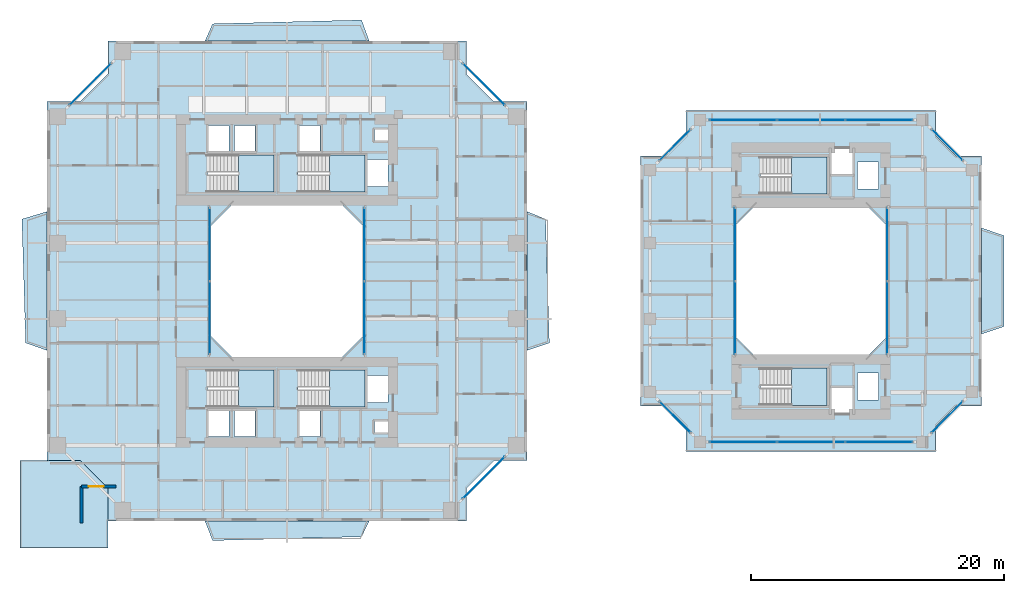
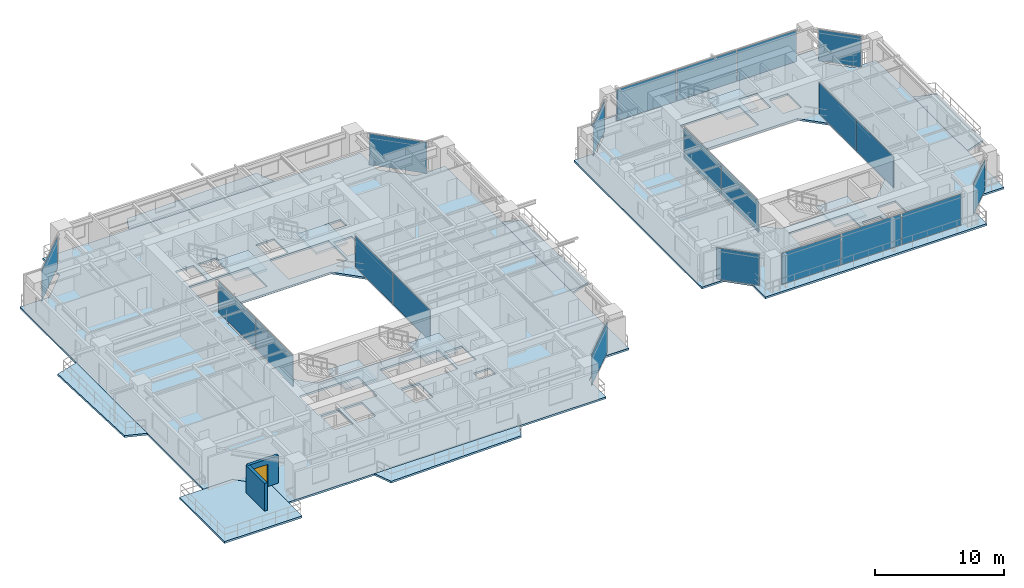
# One storey, part 10 of 22: 21 plates, 14 slabs, 2 walls, 1 door, 1 opening, 19 elements without a shape of their own.
"""IFC4 building model written with IfcOpenShell, lengths in metres."""

from ifc_helpers import new_model, si_unit, direction, frame, frame_2d, origin, origin_2d, place, context, subcontext, project, spatial, polyline, rectangle, outline, extrude, source, transform, mapped, material, layer, layer_set, type_object, element, fill, aggregate, save


model = new_model("IFC4")

# Units and contexts
model_context = context("Model", 3, precision=1e-05, world=origin(), true_north=direction((0.0, 1.0)))
body_context = subcontext(model_context, "Body", "Model", "MODEL_VIEW")
ifc_project = project(units=[si_unit("LENGTHUNIT", "METRE"), si_unit("AREAUNIT", "SQUARE_METRE"), si_unit("VOLUMEUNIT", "CUBIC_METRE"), si_unit("PLANEANGLEUNIT", "RADIAN"), si_unit("MASSUNIT", "GRAM", prefix="KILO"), si_unit("THERMODYNAMICTEMPERATUREUNIT", "KELVIN"), si_unit("POWERUNIT", "WATT")], contexts=[model_context])

# Site, building, storey
site_placement = place(None, origin())
site = spatial("IfcSite", under=ifc_project, at=site_placement, CompositionType="ELEMENT")
building_placement = place(site_placement, origin())
building = spatial("IfcBuilding", under=site, at=building_placement, Name="Qiaomeng Ring Towers", CompositionType="ELEMENT")
storey_placement = place(building_placement, frame((0.0, 0.0, 53.5)))
storey = spatial("IfcBuildingStorey", under=building, at=storey_placement, Name="L14", CompositionType="ELEMENT", Elevation=53.5)

# Slabs
ifc_material_1 = material(Name="Concrete C40", Category="concrete")
ifc_layer_1 = layer(ifc_material_1, 0.179931640625, Name="Concrete C40")
ifc_layer_set_1 = layer_set([ifc_layer_1], Name="Concrete C40")
slab_type_1 = type_object("IfcSlabType", Name="STR-SL-180", PredefinedType="FLOOR", material=ifc_layer_set_1)
slab_1_placement = place(storey_placement, frame((0.0, 0.0, -0.179931640625)))
element("IfcSlab", 1, at=slab_1_placement, inside=storey, type_object=slab_type_1, Name="L14 Tower 1 Annular Floor Slab", PredefinedType="FLOOR", context=body_context, shape_type="SweptSolid", body=[
    extrude(outline(polyline([(4.800048828125, 4.0), (33.199951171875, 4.0), (33.199951171875, 6.60009765625), (35.39990234375, 8.800048828125), (38.0, 8.800048828125), (38.0, 37.199951171875), (35.39990234375, 37.199951171875), (33.199951171875, 39.39990234375), (33.199951171875, 42.0), (4.800048828125, 42.0), (4.800048828125, 39.39990234375), (2.60009765625, 37.199951171875), (0.0, 37.199951171875), (0.0, 8.800048828125), (2.60009765625, 8.800048828125), (4.800048828125, 6.60009765625), (4.800048828125, 4.0)]), holes=[polyline([(12.780029296875, 10.679931640625), (12.780029296875, 12.820068359375), (14.419921875, 12.820068359375), (14.419921875, 10.679931640625), (12.780029296875, 10.679931640625)]), polyline([(14.830078125, 12.820068359375), (16.469970703125, 12.820068359375), (16.469970703125, 10.679931640625), (14.830078125, 10.679931640625), (14.830078125, 12.820068359375)]), polyline([(12.679931640625, 15.949951171875), (17.949951171875, 15.949951171875), (17.949951171875, 13.010009765625), (12.679931640625, 13.010009765625), (12.679931640625, 15.949951171875)]), polyline([(25.199951171875, 27.199951171875), (25.199951171875, 18.800048828125), (23.199951171875, 16.800048828125), (14.800048828125, 16.800048828125), (12.800048828125, 18.800048828125), (12.800048828125, 27.199951171875), (14.800048828125, 29.199951171875), (23.199951171875, 29.199951171875), (25.199951171875, 27.199951171875)]), polyline([(12.679931640625, 32.989990234375), (17.949951171875, 32.989990234375), (17.949951171875, 30.050048828125), (12.679931640625, 30.050048828125), (12.679931640625, 32.989990234375)]), polyline([(12.780029296875, 35.320068359375), (14.419921875, 35.320068359375), (14.419921875, 33.179931640625), (12.780029296875, 33.179931640625), (12.780029296875, 35.320068359375)]), polyline([(14.830078125, 35.320068359375), (16.469970703125, 35.320068359375), (16.469970703125, 33.179931640625), (14.830078125, 33.179931640625), (14.830078125, 35.320068359375)]), polyline([(19.97998046875, 35.320068359375), (21.6201171875, 35.320068359375), (21.6201171875, 33.179931640625), (19.97998046875, 33.179931640625), (19.97998046875, 35.320068359375)]), polyline([(25.919921875, 11.89990234375), (27.360107421875, 11.89990234375), (27.360107421875, 11.0), (25.919921875, 11.0), (25.919921875, 11.89990234375)]), polyline([(19.97998046875, 12.820068359375), (21.6201171875, 12.820068359375), (21.6201171875, 10.679931640625), (19.97998046875, 10.679931640625), (19.97998046875, 12.820068359375)]), polyline([(25.360107421875, 15.52001953125), (27.0, 15.52001953125), (27.0, 13.3798828125), (25.360107421875, 13.3798828125), (25.360107421875, 15.52001953125)]), polyline([(19.8798828125, 15.949951171875), (25.14990234375, 15.949951171875), (25.14990234375, 13.010009765625), (19.8798828125, 13.010009765625), (19.8798828125, 15.949951171875)]), polyline([(19.8798828125, 32.989990234375), (25.14990234375, 32.989990234375), (25.14990234375, 30.050048828125), (19.8798828125, 30.050048828125), (19.8798828125, 32.989990234375)]), polyline([(25.360107421875, 32.6201171875), (27.0, 32.6201171875), (27.0, 30.47998046875), (25.360107421875, 30.47998046875), (25.360107421875, 32.6201171875)]), polyline([(25.919921875, 35.0), (27.360107421875, 35.0), (27.360107421875, 34.10009765625), (25.919921875, 34.10009765625), (25.919921875, 35.0)])]), origin(), (0.0, 0.0, 1.0), 0.179931640625),
])
slab_2_placement = place(storey_placement, frame((0.0, 0.0, -0.179931640625)))
element("IfcSlab", 2, at=slab_2_placement, inside=storey, type_object=slab_type_1, Name="L14 Companion Tower 2 Annular Floor Slab", PredefinedType="FLOOR", context=body_context, shape_type="SweptSolid", body=[
    extrude(outline(polyline([(50.60009765625, 9.5), (70.39990234375, 9.5), (70.39990234375, 11.5), (72.0, 13.10009765625), (74.0, 13.10009765625), (74.0, 32.89990234375), (72.0, 32.89990234375), (70.39990234375, 34.5), (70.39990234375, 36.5), (50.60009765625, 36.5), (50.60009765625, 34.5), (49.0, 32.89990234375), (47.0, 32.89990234375), (47.0, 13.10009765625), (49.0, 13.10009765625), (50.60009765625, 11.5), (50.60009765625, 9.5)]), holes=[polyline([(62.1298828125, 12.3798828125), (62.1298828125, 14.52001953125), (63.77001953125, 14.52001953125), (63.77001953125, 12.3798828125), (62.1298828125, 12.3798828125)]), polyline([(56.47998046875, 13.159912109375), (56.47998046875, 16.10009765625), (61.75, 16.10009765625), (61.75, 13.159912109375), (56.47998046875, 13.159912109375)]), polyline([(64.179931640625, 13.580078125), (64.179931640625, 15.719970703125), (65.820068359375, 15.719970703125), (65.820068359375, 13.580078125), (64.179931640625, 13.580078125)]), polyline([(64.800048828125, 29.10009765625), (66.60009765625, 27.300048828125), (66.60009765625, 18.699951171875), (64.800048828125, 16.89990234375), (56.199951171875, 16.89990234375), (54.39990234375, 18.699951171875), (54.39990234375, 27.300048828125), (56.199951171875, 29.10009765625), (64.800048828125, 29.10009765625)]), polyline([(64.179931640625, 30.280029296875), (64.179931640625, 32.419921875), (65.820068359375, 32.419921875), (65.820068359375, 30.280029296875), (64.179931640625, 30.280029296875)]), polyline([(56.47998046875, 32.840087890625), (61.75, 32.840087890625), (61.75, 29.89990234375), (56.47998046875, 29.89990234375), (56.47998046875, 32.840087890625)]), polyline([(62.1298828125, 33.6201171875), (63.77001953125, 33.6201171875), (63.77001953125, 31.47998046875), (62.1298828125, 31.47998046875), (62.1298828125, 33.6201171875)])]), origin(), (0.0, 0.0, 1.0), 0.179931640625),
])
ifc_layer_2 = layer(ifc_material_1, 0.179931640625, Name="Concrete C40")
ifc_layer_set_2 = layer_set([ifc_layer_2], Name="Concrete C40")
slab_type_2 = type_object("IfcSlabType", Name="STR-SL-BAL", PredefinedType="FLOOR", material=ifc_layer_set_2)
slab_3_placement = place(storey_placement, frame((0.0, 0.0, -0.179931640625)))
element("IfcSlab", 3, at=slab_3_placement, inside=storey, type_object=slab_type_2, Name="L14 Tower 1 S Faceted Balcony Slab", PredefinedType="FLOOR", context=body_context, shape_type="SweptSolid", body=[
    extrude(outline(polyline([(24.89990234375, 2.75), (13.10009765625, 2.449951171875), (12.5, 4.0), (25.5, 4.0), (24.89990234375, 2.75)])), origin(), (0.0, 0.0, 1.0), 0.179931640625),
])
slab_4_placement = place(storey_placement, frame((0.0, 0.0, -0.179931640625)))
element("IfcSlab", 4, at=slab_4_placement, inside=storey, type_object=slab_type_2, Name="L14 Tower 1 E Faceted Balcony Slab", PredefinedType="FLOOR", context=body_context, shape_type="SweptSolid", body=[
    extrude(outline(polyline([(39.469970703125, 27.89990234375), (39.77001953125, 18.10009765625), (38.0, 17.5), (38.0, 28.5), (39.469970703125, 27.89990234375)])), origin(), (0.0, 0.0, 1.0), 0.179931640625),
])
slab_5_placement = place(storey_placement, frame((0.0, 0.0, -0.179931640625)))
element("IfcSlab", 5, at=slab_5_placement, inside=storey, type_object=slab_type_2, Name="L14 Tower 1 N Faceted Balcony Slab", PredefinedType="FLOOR", context=body_context, shape_type="SweptSolid", body=[
    extrude(outline(polyline([(12.5, 42.0), (13.10009765625, 43.3701171875), (24.89990234375, 43.669921875), (25.5, 42.0), (12.5, 42.0)])), origin(), (0.0, 0.0, 1.0), 0.179931640625),
])
slab_6_placement = place(storey_placement, frame((0.0, 0.0, -0.179931640625)))
element("IfcSlab", 6, at=slab_6_placement, inside=storey, type_object=slab_type_2, Name="L14 Tower 1 W Faceted Balcony Slab", PredefinedType="FLOOR", context=body_context, shape_type="SweptSolid", body=[
    extrude(outline(polyline([(0.0, 17.5), (-1.699951171875, 18.10009765625), (-2.0, 27.89990234375), (0.0, 28.5), (0.0, 17.5)])), origin(), (0.0, 0.0, 1.0), 0.179931640625),
])
slab_7_placement = place(storey_placement, frame((0.0, 0.0, -0.179931640625)))
element("IfcSlab", 7, at=slab_7_placement, inside=storey, type_object=slab_type_2, Name="L14 Companion East Faceted Balcony Slab", PredefinedType="FLOOR", context=body_context, shape_type="SweptSolid", body=[
    extrude(outline(polyline([(75.77001953125, 26.60009765625), (75.77001953125, 19.39990234375), (74.0, 18.800048828125), (74.0, 27.199951171875), (75.77001953125, 26.60009765625)])), origin(), (0.0, 0.0, 1.0), 0.179931640625),
])

# Stair, slab
ifc_material_2 = material(Name="Precast concrete C40", Category="concrete")
stair_type = type_object("IfcStairType", Name="ARC-ST-325", PredefinedType="HALF_TURN_STAIR", material=ifc_material_2)
stair_1_placement = place(storey_placement, origin())
stair_1 = element("IfcStair", 8, at=stair_1_placement, inside=storey, type_object=stair_type, Name="L14 Tower 1 North Stair 1", PredefinedType="HALF_TURN_STAIR")
ifc_layer_3 = layer(ifc_material_1, 0.199951171875, Name="Concrete C40")
ifc_layer_set_3 = layer_set([ifc_layer_3], Name="Concrete C40")
slab_type_3 = type_object("IfcSlabType", Name="STR-SL-LANDING", PredefinedType="LANDING", material=ifc_layer_set_3)
slab_8_placement = place(storey_placement, frame((0.0, 0.0, 1.425048828125)))
slab_8 = element("IfcSlab", 9, at=slab_8_placement, type_object=slab_type_3, Name="ST1 landing 1", PredefinedType="LANDING", context=body_context, shape_type="SweptSolid", body=[
    extrude(outline(polyline([(15.139892578125, 30.050048828125), (17.949951171875, 30.050048828125), (17.949951171875, 32.989990234375), (15.139892578125, 32.989990234375), (15.139892578125, 30.050048828125)])), origin(), (0.0, 0.0, 1.0), 0.199951171875),
])
aggregate(stair_1, [slab_8])

stair_2_placement = place(storey_placement, origin())
stair_2 = element("IfcStair", 10, at=stair_2_placement, inside=storey, type_object=stair_type, Name="L14 Tower 1 North Stair 2", PredefinedType="HALF_TURN_STAIR")
slab_9_placement = place(storey_placement, frame((0.0, 0.0, 1.425048828125)))
slab_9 = element("IfcSlab", 11, at=slab_9_placement, type_object=slab_type_3, Name="ST2 landing 1", PredefinedType="LANDING", context=body_context, shape_type="SweptSolid", body=[
    extrude(outline(polyline([(22.340087890625, 30.050048828125), (25.14990234375, 30.050048828125), (25.14990234375, 32.989990234375), (22.340087890625, 32.989990234375), (22.340087890625, 30.050048828125)])), origin(), (0.0, 0.0, 1.0), 0.199951171875),
])
aggregate(stair_2, [slab_9])

stair_3_placement = place(storey_placement, origin())
stair_3 = element("IfcStair", 12, at=stair_3_placement, inside=storey, type_object=stair_type, Name="L14 Tower 1 South Stair 3", PredefinedType="HALF_TURN_STAIR")
slab_10_placement = place(storey_placement, frame((0.0, 0.0, 1.425048828125)))
slab_10 = element("IfcSlab", 13, at=slab_10_placement, type_object=slab_type_3, Name="ST3 landing 1", PredefinedType="LANDING", context=body_context, shape_type="SweptSolid", body=[
    extrude(outline(polyline([(15.139892578125, 13.010009765625), (17.949951171875, 13.010009765625), (17.949951171875, 15.949951171875), (15.139892578125, 15.949951171875), (15.139892578125, 13.010009765625)])), origin(), (0.0, 0.0, 1.0), 0.199951171875),
])
aggregate(stair_3, [slab_10])

stair_4_placement = place(storey_placement, origin())
stair_4 = element("IfcStair", 14, at=stair_4_placement, inside=storey, type_object=stair_type, Name="L14 Tower 1 South Stair 4", PredefinedType="HALF_TURN_STAIR")
slab_11_placement = place(storey_placement, frame((0.0, 0.0, 1.425048828125)))
slab_11 = element("IfcSlab", 15, at=slab_11_placement, type_object=slab_type_3, Name="ST4 landing 1", PredefinedType="LANDING", context=body_context, shape_type="SweptSolid", body=[
    extrude(outline(polyline([(22.340087890625, 13.010009765625), (25.14990234375, 13.010009765625), (25.14990234375, 15.949951171875), (22.340087890625, 15.949951171875), (22.340087890625, 13.010009765625)])), origin(), (0.0, 0.0, 1.0), 0.199951171875),
])
aggregate(stair_4, [slab_11])

stair_5_placement = place(storey_placement, origin())
stair_5 = element("IfcStair", 16, at=stair_5_placement, inside=storey, type_object=stair_type, Name="L14 Companion North Stair 5", PredefinedType="HALF_TURN_STAIR")
slab_12_placement = place(storey_placement, frame((0.0, 0.0, 1.425048828125)))
slab_12 = element("IfcSlab", 17, at=slab_12_placement, type_object=slab_type_3, Name="ST5 landing 1", PredefinedType="LANDING", context=body_context, shape_type="SweptSolid", body=[
    extrude(outline(polyline([(58.93994140625, 29.89990234375), (61.75, 29.89990234375), (61.75, 32.840087890625), (58.93994140625, 32.840087890625), (58.93994140625, 29.89990234375)])), origin(), (0.0, 0.0, 1.0), 0.199951171875),
])
aggregate(stair_5, [slab_12])

stair_6_placement = place(storey_placement, origin())
stair_6 = element("IfcStair", 18, at=stair_6_placement, inside=storey, type_object=stair_type, Name="L14 Companion South Stair 6", PredefinedType="HALF_TURN_STAIR")
slab_13_placement = place(storey_placement, frame((0.0, 0.0, 1.425048828125)))
slab_13 = element("IfcSlab", 19, at=slab_13_placement, type_object=slab_type_3, Name="ST6 landing 1", PredefinedType="LANDING", context=body_context, shape_type="SweptSolid", body=[
    extrude(outline(polyline([(58.93994140625, 13.159912109375), (61.75, 13.159912109375), (61.75, 16.10009765625), (58.93994140625, 16.10009765625), (58.93994140625, 13.159912109375)])), origin(), (0.0, 0.0, 1.0), 0.199951171875),
])
aggregate(stair_6, [slab_13])

# Slab
ifc_layer_4 = layer(ifc_material_1, 0.179931640625, Name="Concrete C40")
ifc_layer_set_4 = layer_set([ifc_layer_4], Name="Concrete C40")
slab_type_4 = type_object("IfcSlabType", Name="STR-SL-TERR180", PredefinedType="FLOOR", material=ifc_layer_set_4)
slab_14_placement = place(storey_placement, frame((0.0, 0.0, -0.179931640625)))
element("IfcSlab", 20, at=slab_14_placement, inside=storey, type_object=slab_type_4, Name="L14 Spiralling Corner Sky Terrace SW", PredefinedType="FLOOR", context=body_context, shape_type="SweptSolid", body=[
    extrude(outline(polyline([(4.800048828125, 1.85009765625), (-2.14990234375, 1.85009765625), (-2.14990234375, 8.800048828125), (0.0, 8.800048828125), (2.60009765625, 8.800048828125), (4.800048828125, 6.60009765625), (4.800048828125, 4.0), (4.800048828125, 1.85009765625)])), origin(), (0.0, 0.0, 1.0), 0.179931640625),
])

# Curtain wall, plates
ifc_material_3 = material(Name="Fluorocarbon dark-grey aluminium", Category="aluminium")
ifc_layer_5 = layer(ifc_material_3, 0.139892578125, Name="Fluorocarbon dark-grey aluminium")
ifc_layer_set_5 = layer_set([ifc_layer_5], Name="Fluorocarbon dark-grey aluminium")
curtain_wall_type_1 = type_object("IfcCurtainWallType", Name="ARC-CW-4", PredefinedType="NOTDEFINED", material=ifc_layer_set_5)
curtain_wall_1_placement = place(storey_placement, origin())
curtain_wall_1 = element("IfcCurtainWall", 21, at=curtain_wall_1_placement, inside=storey, type_object=curtain_wall_type_1, Name="L14 Curtain Wall CW4", PredefinedType="NOTDEFINED")
ifc_material_4 = material(Name="Low-E dark-grey laminated double glazing", Category="glass")
ifc_layer_6 = layer(ifc_material_4, 0.028076171875, Name="Low-E dark-grey laminated double glazing")
ifc_layer_set_6 = layer_set([ifc_layer_6], Name="Low-E dark-grey laminated double glazing")
plate_type = type_object("IfcPlateType", Name="ARC-CWP-DARK", PredefinedType="CURTAIN_PANEL", material=ifc_layer_set_6)
shared_shape_1 = source(origin(), body_context, "Body", "SweptSolid", [
    extrude(rectangle(XDim=5.75244140625, YDim=0.028076171875, at=origin_2d()), origin(), (0.0, 0.0, 1.0), 2.93994140625),
])
plate_1_placement = place(storey_placement, frame((12.8798828125, 20.09130859375, 0.06494140625), z_axis=(0.0, 0.0, 1.0), x_axis=(0.0, 1.0, 0.0)))
plate_1 = element("IfcPlate", 22, at=plate_1_placement, type_object=plate_type, Name="CW4 panel 1.1", PredefinedType="CURTAIN_PANEL", context=body_context, shape_type="MappedRepresentation", body=[
    mapped(shared_shape_1, transform((0.0, 0.0, 0.0), x_axis=(1.0, 0.0, 0.0), y_axis=(0.0, 1.0, 0.0), z_axis=(0.0, 0.0, 1.0), scale=1.0)),
])
plate_2_placement = place(storey_placement, frame((12.8798828125, 25.90869140625, 0.06494140625), z_axis=(0.0, 0.0, 1.0), x_axis=(0.0, 1.0, 0.0)))
plate_2 = element("IfcPlate", 23, at=plate_2_placement, type_object=plate_type, Name="CW4 panel 2.1", PredefinedType="CURTAIN_PANEL", context=body_context, shape_type="MappedRepresentation", body=[
    mapped(shared_shape_1, transform((0.0, 0.0, 0.0), x_axis=(1.0, 0.0, 0.0), y_axis=(0.0, 1.0, 0.0), z_axis=(0.0, 0.0, 1.0), scale=1.0)),
])
aggregate(curtain_wall_1, [plate_1, plate_2])

curtain_wall_2_placement = place(storey_placement, origin())
curtain_wall_2 = element("IfcCurtainWall", 24, at=curtain_wall_2_placement, inside=storey, type_object=curtain_wall_type_1, Name="L14 Curtain Wall CW4", PredefinedType="NOTDEFINED")
plate_3_placement = place(storey_placement, frame((25.1201171875, 20.09130859375, 0.06494140625), z_axis=(0.0, 0.0, 1.0), x_axis=(0.0, 1.0, 0.0)))
plate_3 = element("IfcPlate", 25, at=plate_3_placement, type_object=plate_type, Name="CW4 panel 1.1", PredefinedType="CURTAIN_PANEL", context=body_context, shape_type="MappedRepresentation", body=[
    mapped(shared_shape_1, transform((0.0, 0.0, 0.0), x_axis=(1.0, 0.0, 0.0), y_axis=(0.0, 1.0, 0.0), z_axis=(0.0, 0.0, 1.0), scale=1.0)),
])
plate_4_placement = place(storey_placement, frame((25.1201171875, 25.90869140625, 0.06494140625), z_axis=(0.0, 0.0, 1.0), x_axis=(0.0, 1.0, 0.0)))
plate_4 = element("IfcPlate", 26, at=plate_4_placement, type_object=plate_type, Name="CW4 panel 2.1", PredefinedType="CURTAIN_PANEL", context=body_context, shape_type="MappedRepresentation", body=[
    mapped(shared_shape_1, transform((0.0, 0.0, 0.0), x_axis=(1.0, 0.0, 0.0), y_axis=(0.0, 1.0, 0.0), z_axis=(0.0, 0.0, 1.0), scale=1.0)),
])
aggregate(curtain_wall_2, [plate_3, plate_4])

curtain_wall_3_placement = place(storey_placement, origin())
curtain_wall_3 = element("IfcCurtainWall", 27, at=curtain_wall_3_placement, inside=storey, type_object=curtain_wall_type_1, Name="L14 Curtain Wall CW4", PredefinedType="NOTDEFINED")
plate_5_placement = place(storey_placement, frame((54.47998046875, 20.09130859375, 0.06494140625), z_axis=(0.0, 0.0, 1.0), x_axis=(0.0, 1.0, 0.0)))
plate_5 = element("IfcPlate", 28, at=plate_5_placement, type_object=plate_type, Name="CW4 panel 1.1", PredefinedType="CURTAIN_PANEL", context=body_context, shape_type="MappedRepresentation", body=[
    mapped(shared_shape_1, transform((0.0, 0.0, 0.0), x_axis=(1.0, 0.0, 0.0), y_axis=(0.0, 1.0, 0.0), z_axis=(0.0, 0.0, 1.0), scale=1.0)),
])
plate_6_placement = place(storey_placement, frame((54.47998046875, 25.90869140625, 0.06494140625), z_axis=(0.0, 0.0, 1.0), x_axis=(0.0, 1.0, 0.0)))
plate_6 = element("IfcPlate", 29, at=plate_6_placement, type_object=plate_type, Name="CW4 panel 2.1", PredefinedType="CURTAIN_PANEL", context=body_context, shape_type="MappedRepresentation", body=[
    mapped(shared_shape_1, transform((0.0, 0.0, 0.0), x_axis=(1.0, 0.0, 0.0), y_axis=(0.0, 1.0, 0.0), z_axis=(0.0, 0.0, 1.0), scale=1.0)),
])
aggregate(curtain_wall_3, [plate_5, plate_6])

curtain_wall_4_placement = place(storey_placement, origin())
curtain_wall_4 = element("IfcCurtainWall", 30, at=curtain_wall_4_placement, inside=storey, type_object=curtain_wall_type_1, Name="L14 Curtain Wall CW4", PredefinedType="NOTDEFINED")
plate_7_placement = place(storey_placement, frame((66.52001953125, 20.09130859375, 0.06494140625), z_axis=(0.0, 0.0, 1.0), x_axis=(0.0, 1.0, 0.0)))
plate_7 = element("IfcPlate", 31, at=plate_7_placement, type_object=plate_type, Name="CW4 panel 1.1", PredefinedType="CURTAIN_PANEL", context=body_context, shape_type="MappedRepresentation", body=[
    mapped(shared_shape_1, transform((0.0, 0.0, 0.0), x_axis=(1.0, 0.0, 0.0), y_axis=(0.0, 1.0, 0.0), z_axis=(0.0, 0.0, 1.0), scale=1.0)),
])
plate_8_placement = place(storey_placement, frame((66.52001953125, 25.90869140625, 0.06494140625), z_axis=(0.0, 0.0, 1.0), x_axis=(0.0, 1.0, 0.0)))
plate_8 = element("IfcPlate", 32, at=plate_8_placement, type_object=plate_type, Name="CW4 panel 2.1", PredefinedType="CURTAIN_PANEL", context=body_context, shape_type="MappedRepresentation", body=[
    mapped(shared_shape_1, transform((0.0, 0.0, 0.0), x_axis=(1.0, 0.0, 0.0), y_axis=(0.0, 1.0, 0.0), z_axis=(0.0, 0.0, 1.0), scale=1.0)),
])
aggregate(curtain_wall_4, [plate_7, plate_8])

# Curtain wall, plate
ifc_layer_7 = layer(ifc_material_3, 0.159912109375, Name="Fluorocarbon dark-grey aluminium")
ifc_layer_set_7 = layer_set([ifc_layer_7], Name="Fluorocarbon dark-grey aluminium")
curtain_wall_type_2 = type_object("IfcCurtainWallType", Name="ARC-CW-2", PredefinedType="NOTDEFINED", material=ifc_layer_set_7)
curtain_wall_5_placement = place(storey_placement, origin())
curtain_wall_5 = element("IfcCurtainWall", 33, at=curtain_wall_5_placement, inside=storey, type_object=curtain_wall_type_2, Name="L14 Curtain Wall CW2", PredefinedType="NOTDEFINED")
shared_shape_2 = source(origin(), body_context, "Body", "SweptSolid", [
    extrude(rectangle(XDim=4.6259765625, YDim=0.028076171875, at=origin_2d()), origin(), (0.0, 0.0, 1.0), 2.93994140625),
])
plate_9_placement = place(storey_placement, frame((34.574951171875, 7.425048828125, 0.06494140625), z_axis=(0.0, 0.0, 1.0), x_axis=(0.707106781187, 0.707106781187, 0.0)))
plate_9 = element("IfcPlate", 34, at=plate_9_placement, type_object=plate_type, Name="CW2 panel 1.1", PredefinedType="CURTAIN_PANEL", context=body_context, shape_type="MappedRepresentation", body=[
    mapped(shared_shape_2, transform((0.0, 0.0, 0.0), x_axis=(1.0, 0.0, 0.0), y_axis=(0.0, 1.0, 0.0), z_axis=(0.0, 0.0, 1.0), scale=1.0)),
])
aggregate(curtain_wall_5, [plate_9])

curtain_wall_6_placement = place(storey_placement, origin())
curtain_wall_6 = element("IfcCurtainWall", 35, at=curtain_wall_6_placement, inside=storey, type_object=curtain_wall_type_2, Name="L14 Curtain Wall CW2", PredefinedType="NOTDEFINED")
plate_10_placement = place(storey_placement, frame((34.574951171875, 38.574951171875, 0.06494140625), z_axis=(0.0, 0.0, 1.0), x_axis=(-0.707106781187, 0.707106781187, 0.0)))
plate_10 = element("IfcPlate", 36, at=plate_10_placement, type_object=plate_type, Name="CW2 panel 1.1", PredefinedType="CURTAIN_PANEL", context=body_context, shape_type="MappedRepresentation", body=[
    mapped(shared_shape_2, transform((0.0, 0.0, 0.0), x_axis=(1.0, 0.0, 0.0), y_axis=(0.0, 1.0, 0.0), z_axis=(0.0, 0.0, 1.0), scale=1.0)),
])
aggregate(curtain_wall_6, [plate_10])

curtain_wall_7_placement = place(storey_placement, origin())
curtain_wall_7 = element("IfcCurtainWall", 37, at=curtain_wall_7_placement, inside=storey, type_object=curtain_wall_type_2, Name="L14 Curtain Wall CW2", PredefinedType="NOTDEFINED")
plate_11_placement = place(storey_placement, frame((3.425048828125, 38.574951171875, 0.06494140625), z_axis=(0.0, 0.0, 1.0), x_axis=(-0.707106781187, -0.707106781187, 0.0)))
plate_11 = element("IfcPlate", 38, at=plate_11_placement, type_object=plate_type, Name="CW2 panel 1.1", PredefinedType="CURTAIN_PANEL", context=body_context, shape_type="MappedRepresentation", body=[
    mapped(shared_shape_2, transform((0.0, 0.0, 0.0), x_axis=(1.0, 0.0, 0.0), y_axis=(0.0, 1.0, 0.0), z_axis=(0.0, 0.0, 1.0), scale=1.0)),
])
aggregate(curtain_wall_7, [plate_11])

# Curtain wall, plates
ifc_layer_8 = layer(ifc_material_3, 0.14990234375, Name="Fluorocarbon dark-grey aluminium")
ifc_layer_set_8 = layer_set([ifc_layer_8], Name="Fluorocarbon dark-grey aluminium")
curtain_wall_type_3 = type_object("IfcCurtainWallType", Name="ARC-CW-5", PredefinedType="NOTDEFINED", material=ifc_layer_set_8)
curtain_wall_8_placement = place(storey_placement, origin())
curtain_wall_8 = element("IfcCurtainWall", 39, at=curtain_wall_8_placement, inside=storey, type_object=curtain_wall_type_3, Name="L14 Curtain Wall CW5", PredefinedType="NOTDEFINED")
shared_shape_3 = source(origin(), body_context, "Body", "SweptSolid", [
    extrude(rectangle(XDim=5.284912109375, YDim=0.028076171875, at=origin_2d()), origin(), (0.0, 0.0, 1.0), 2.93994140625),
])
plate_12_placement = place(storey_placement, frame((55.12744140625, 35.75, 0.06494140625), z_axis=(0.0, 0.0, 1.0), x_axis=(1.0, 0.0, 0.0)))
plate_12 = element("IfcPlate", 40, at=plate_12_placement, type_object=plate_type, Name="CW5 panel 1.1", PredefinedType="CURTAIN_PANEL", context=body_context, shape_type="MappedRepresentation", body=[
    mapped(shared_shape_3, transform((0.0, 0.0, 0.0), x_axis=(1.0, 0.0, 0.0), y_axis=(0.0, 1.0, 0.0), z_axis=(0.0, 0.0, 1.0), scale=1.0)),
])
plate_13_placement = place(storey_placement, frame((65.87255859375, 35.75, 0.06494140625), z_axis=(0.0, 0.0, 1.0), x_axis=(1.0, 0.0, 0.0)))
plate_13 = element("IfcPlate", 41, at=plate_13_placement, type_object=plate_type, Name="CW5 panel 3.1", PredefinedType="CURTAIN_PANEL", context=body_context, shape_type="MappedRepresentation", body=[
    mapped(shared_shape_3, transform((0.0, 0.0, 0.0), x_axis=(1.0, 0.0, 0.0), y_axis=(0.0, 1.0, 0.0), z_axis=(0.0, 0.0, 1.0), scale=1.0)),
])

curtain_wall_9_placement = place(storey_placement, origin())
curtain_wall_9 = element("IfcCurtainWall", 42, at=curtain_wall_9_placement, inside=storey, type_object=curtain_wall_type_3, Name="L14 Curtain Wall CW5", PredefinedType="NOTDEFINED")
plate_14_placement = place(storey_placement, frame((55.12744140625, 10.25, 0.06494140625), z_axis=(0.0, 0.0, 1.0), x_axis=(1.0, 0.0, 0.0)))
plate_14 = element("IfcPlate", 43, at=plate_14_placement, type_object=plate_type, Name="CW5 panel 1.1", PredefinedType="CURTAIN_PANEL", context=body_context, shape_type="MappedRepresentation", body=[
    mapped(shared_shape_3, transform((0.0, 0.0, 0.0), x_axis=(1.0, 0.0, 0.0), y_axis=(0.0, 1.0, 0.0), z_axis=(0.0, 0.0, 1.0), scale=1.0)),
])
plate_15_placement = place(storey_placement, frame((65.87255859375, 10.25, 0.06494140625), z_axis=(0.0, 0.0, 1.0), x_axis=(1.0, 0.0, 0.0)))
plate_15 = element("IfcPlate", 44, at=plate_15_placement, type_object=plate_type, Name="CW5 panel 3.1", PredefinedType="CURTAIN_PANEL", context=body_context, shape_type="MappedRepresentation", body=[
    mapped(shared_shape_3, transform((0.0, 0.0, 0.0), x_axis=(1.0, 0.0, 0.0), y_axis=(0.0, 1.0, 0.0), z_axis=(0.0, 0.0, 1.0), scale=1.0)),
])

# Plate
shared_shape_4 = source(origin(), body_context, "Body", "SweptSolid", [
    extrude(rectangle(XDim=5.320068359375, YDim=0.028076171875, at=origin_2d()), origin(), (0.0, 0.0, 1.0), 2.93994140625),
])
plate_16_placement = place(storey_placement, frame((60.5, 35.75, 0.06494140625), z_axis=(0.0, 0.0, 1.0), x_axis=(1.0, 0.0, 0.0)))
plate_16 = element("IfcPlate", 45, at=plate_16_placement, type_object=plate_type, Name="CW5 panel 2.1", PredefinedType="CURTAIN_PANEL", context=body_context, shape_type="MappedRepresentation", body=[
    mapped(shared_shape_4, transform((0.0, 0.0, 0.0), x_axis=(1.0, 0.0, 0.0), y_axis=(0.0, 1.0, 0.0), z_axis=(0.0, 0.0, 1.0), scale=1.0)),
])

aggregate(curtain_wall_8, [plate_12, plate_16, plate_13])

plate_17_placement = place(storey_placement, frame((60.5, 10.25, 0.06494140625), z_axis=(0.0, 0.0, 1.0), x_axis=(1.0, 0.0, 0.0)))
plate_17 = element("IfcPlate", 46, at=plate_17_placement, type_object=plate_type, Name="CW5 panel 2.1", PredefinedType="CURTAIN_PANEL", context=body_context, shape_type="MappedRepresentation", body=[
    mapped(shared_shape_4, transform((0.0, 0.0, 0.0), x_axis=(1.0, 0.0, 0.0), y_axis=(0.0, 1.0, 0.0), z_axis=(0.0, 0.0, 1.0), scale=1.0)),
])

aggregate(curtain_wall_9, [plate_14, plate_17, plate_15])

# Curtain wall, plate
curtain_wall_10_placement = place(storey_placement, origin())
curtain_wall_10 = element("IfcCurtainWall", 47, at=curtain_wall_10_placement, inside=storey, type_object=curtain_wall_type_3, Name="L14 Curtain Wall CW5", PredefinedType="NOTDEFINED")
shared_shape_5 = source(origin(), body_context, "Body", "SweptSolid", [
    extrude(rectangle(XDim=3.423828125, YDim=0.028076171875, at=origin_2d()), origin(), (0.0, 0.0, 1.0), 2.93994140625),
])
plate_18_placement = place(storey_placement, frame((71.27490234375, 12.22509765625, 0.06494140625), z_axis=(0.0, 0.0, 1.0), x_axis=(0.707106781187, 0.707106781187, 0.0)))
plate_18 = element("IfcPlate", 48, at=plate_18_placement, type_object=plate_type, Name="CW5 panel 1.1", PredefinedType="CURTAIN_PANEL", context=body_context, shape_type="MappedRepresentation", body=[
    mapped(shared_shape_5, transform((0.0, 0.0, 0.0), x_axis=(1.0, 0.0, 0.0), y_axis=(0.0, 1.0, 0.0), z_axis=(0.0, 0.0, 1.0), scale=1.0)),
])
aggregate(curtain_wall_10, [plate_18])

curtain_wall_11_placement = place(storey_placement, origin())
curtain_wall_11 = element("IfcCurtainWall", 49, at=curtain_wall_11_placement, inside=storey, type_object=curtain_wall_type_3, Name="L14 Curtain Wall CW5", PredefinedType="NOTDEFINED")
plate_19_placement = place(storey_placement, frame((71.27490234375, 33.77490234375, 0.06494140625), z_axis=(0.0, 0.0, 1.0), x_axis=(-0.707106781187, 0.707106781187, 0.0)))
plate_19 = element("IfcPlate", 50, at=plate_19_placement, type_object=plate_type, Name="CW5 panel 1.1", PredefinedType="CURTAIN_PANEL", context=body_context, shape_type="MappedRepresentation", body=[
    mapped(shared_shape_5, transform((0.0, 0.0, 0.0), x_axis=(1.0, 0.0, 0.0), y_axis=(0.0, 1.0, 0.0), z_axis=(0.0, 0.0, 1.0), scale=1.0)),
])
aggregate(curtain_wall_11, [plate_19])

curtain_wall_12_placement = place(storey_placement, origin())
curtain_wall_12 = element("IfcCurtainWall", 51, at=curtain_wall_12_placement, inside=storey, type_object=curtain_wall_type_3, Name="L14 Curtain Wall CW5", PredefinedType="NOTDEFINED")
plate_20_placement = place(storey_placement, frame((49.72509765625, 33.77490234375, 0.06494140625), z_axis=(0.0, 0.0, 1.0), x_axis=(-0.707106781187, -0.707106781187, 0.0)))
plate_20 = element("IfcPlate", 52, at=plate_20_placement, type_object=plate_type, Name="CW5 panel 1.1", PredefinedType="CURTAIN_PANEL", context=body_context, shape_type="MappedRepresentation", body=[
    mapped(shared_shape_5, transform((0.0, 0.0, 0.0), x_axis=(1.0, 0.0, 0.0), y_axis=(0.0, 1.0, 0.0), z_axis=(0.0, 0.0, 1.0), scale=1.0)),
])
aggregate(curtain_wall_12, [plate_20])

curtain_wall_13_placement = place(storey_placement, origin())
curtain_wall_13 = element("IfcCurtainWall", 53, at=curtain_wall_13_placement, inside=storey, type_object=curtain_wall_type_3, Name="L14 Curtain Wall CW5", PredefinedType="NOTDEFINED")
plate_21_placement = place(storey_placement, frame((49.72509765625, 12.22509765625, 0.06494140625), z_axis=(0.0, 0.0, 1.0), x_axis=(0.707106781187, -0.707106781187, 0.0)))
plate_21 = element("IfcPlate", 54, at=plate_21_placement, type_object=plate_type, Name="CW5 panel 1.1", PredefinedType="CURTAIN_PANEL", context=body_context, shape_type="MappedRepresentation", body=[
    mapped(shared_shape_5, transform((0.0, 0.0, 0.0), x_axis=(1.0, 0.0, 0.0), y_axis=(0.0, 1.0, 0.0), z_axis=(0.0, 0.0, 1.0), scale=1.0)),
])
aggregate(curtain_wall_13, [plate_21])

# Wall, opening, door
ifc_layer_9 = layer(ifc_material_2, 0.25, Name="Precast concrete C40")
ifc_layer_set_9 = layer_set([ifc_layer_9], Name="Precast concrete C40")
wall_type = type_object("IfcWallType", Name="ARC-WL-EW1", PredefinedType="STANDARD", material=ifc_layer_set_9)
wall_1_placement = place(storey_placement, frame((2.72509765625, 6.72509765625, 0.0), z_axis=(0.0, 0.0, 1.0), x_axis=(1.0, 0.0, 0.0)))
wall_1 = element("IfcWall", 55, at=wall_1_placement, inside=storey, type_object=wall_type, Name="L14 Spiral Terrace Wall SW", PredefinedType="STANDARD", context=body_context, shape_type="SweptSolid", body=[
    extrude(rectangle(XDim=2.724853515625, YDim=0.25, at=frame_2d((1.3623046875, 0.0))), origin(), (0.0, 0.0, 1.0), 2.610107421875),
])
opening_placement = place(wall_1_placement, frame((0.550048828125, 0.0, 0.0)))
opening = element("IfcOpeningElement", 56, at=opening_placement, cuts=wall_1, Name="Opening BD1", PredefinedType="OPENING", context=body_context, shape_type="SweptSolid", body=[
    extrude(rectangle(XDim=1.199951171875, YDim=2.10009765625, at=frame_2d((0.60009765625, 1.050048828125))), frame((0.0, 0.135009765625, 0.0), z_axis=(0.0, -1.0, 0.0), x_axis=(1.0, 0.0, 0.0)), (0.0, 0.0, 1.0), 0.27001953125),
])
door_type = type_object("IfcDoorType", Name="ARC-DR-BD1", OperationType="NOTDEFINED", PredefinedType="DOOR", material=ifc_material_4)
shared_shape_6 = source(origin(), body_context, "Body", "SweptSolid", [
    extrude(rectangle(XDim=1.199951171875, YDim=2.10009765625, at=frame_2d((0.60009765625, 1.050048828125))), frame((0.0, 0.02490234375, 0.0), z_axis=(0.0, -1.0, 0.0), x_axis=(1.0, 0.0, 0.0)), (0.0, 0.0, 1.0), 0.050048828125),
])
door_placement = place(opening_placement, origin())
door = element("IfcDoor", 57, at=door_placement, inside=storey, type_object=door_type, Name="L14 Spiral Sky Terrace Door SW", OperationType="SINGLE_SWING_LEFT", OverallHeight=2.10009765625, OverallWidth=1.199951171875, PredefinedType="DOOR", context=body_context, shape_type="MappedRepresentation", body=[
    mapped(shared_shape_6, transform((0.0, 0.0, 0.0), x_axis=(1.0, 0.0, 0.0), y_axis=(0.0, 1.0, 0.0), z_axis=(0.0, 0.0, 1.0), scale=1.0)),
])
fill(opening, door)

# Wall
wall_2_placement = place(storey_placement, frame((2.72509765625, 3.85009765625, 0.0), z_axis=(0.0, 0.0, 1.0), x_axis=(0.0, 1.0, 0.0)))
element("IfcWall", 58, at=wall_2_placement, inside=storey, type_object=wall_type, Name="L14 Spiral Terrace Return Wall SW", PredefinedType="STANDARD", context=body_context, shape_type="SweptSolid", body=[
    extrude(rectangle(XDim=2.875, YDim=0.25, at=frame_2d((1.4375, 0.0))), origin(), (0.0, 0.0, 1.0), 2.610107421875),
])

save(model, "model.ifc")
